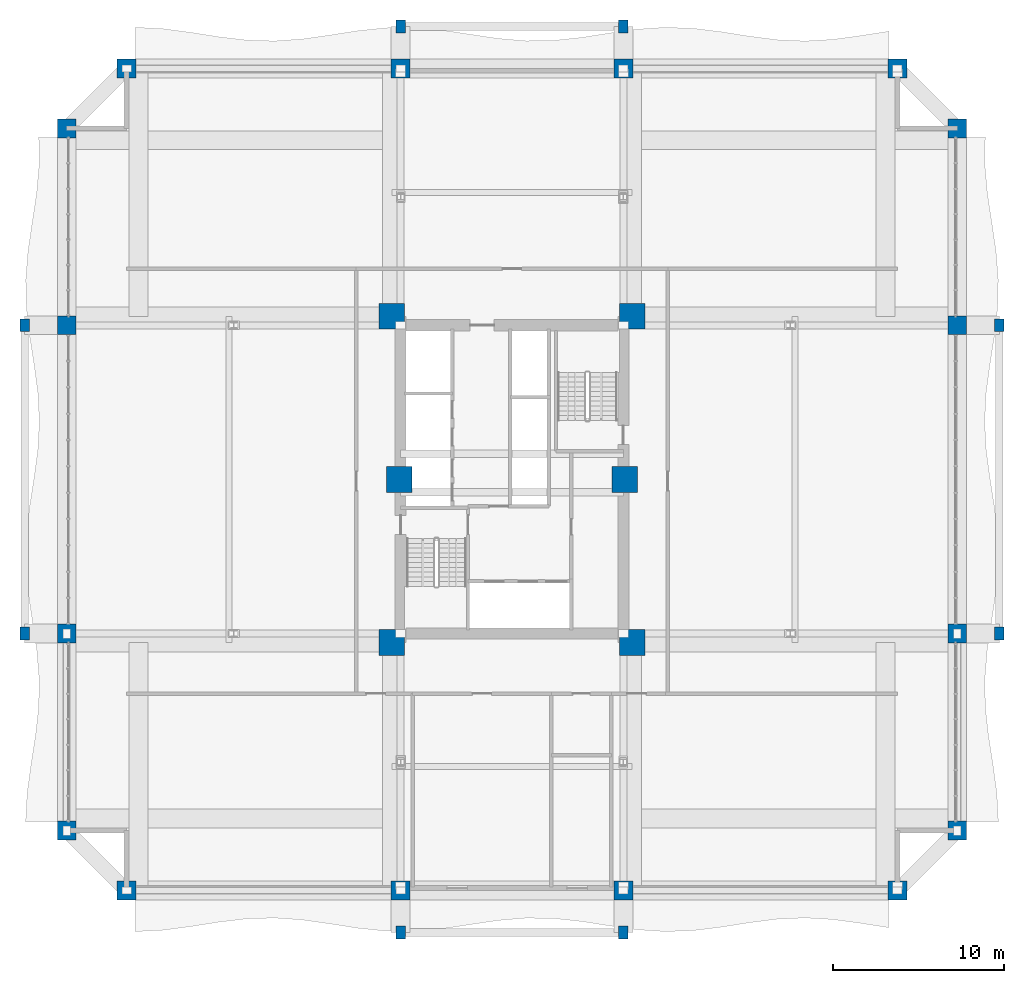
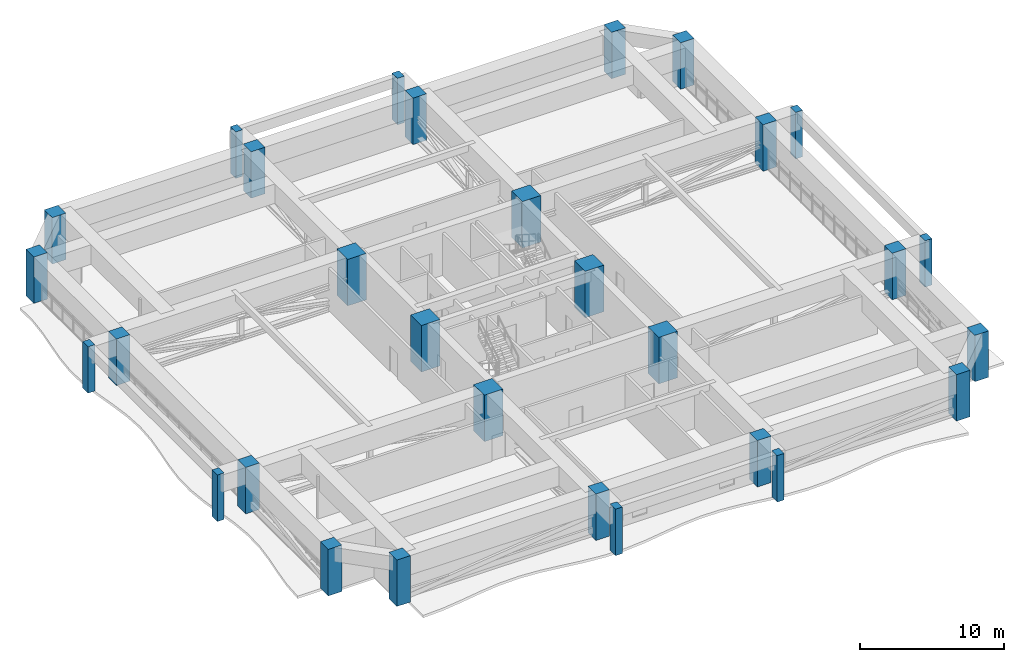
# One storey, part 1 of 35: 30 columns.
"""IFC4 building model written with IfcOpenShell, lengths in metres."""

from ifc_helpers import new_model, si_unit, direction, frame, origin, origin_2d, place, context, subcontext, project, spatial, rectangle, extrude, source, transform, mapped, material, material_profile, profile_set, type_object, element, save


model = new_model("IFC4")

# Units and contexts
model_context = context("Model", 3, precision=1e-05, world=origin(), true_north=direction((0.0, 1.0)))
body_context = subcontext(model_context, "Body", "Model", "MODEL_VIEW")
ifc_project = project(units=[si_unit("LENGTHUNIT", "METRE"), si_unit("AREAUNIT", "SQUARE_METRE"), si_unit("VOLUMEUNIT", "CUBIC_METRE"), si_unit("PLANEANGLEUNIT", "RADIAN"), si_unit("MASSUNIT", "GRAM", prefix="KILO")], contexts=[model_context])

# Site, building, storey
site_placement = place(None, origin())
site = spatial("IfcSite", under=ifc_project, at=site_placement, CompositionType="ELEMENT")
building_placement = place(site_placement, origin())
building = spatial("IfcBuilding", under=site, at=building_placement, Name="Saelheon Loggia Tower", CompositionType="ELEMENT")
storey_placement = place(building_placement, frame((0.0, 0.0, 70.39990234375)))
storey = spatial("IfcBuildingStorey", under=building, at=storey_placement, Name="L22", CompositionType="ELEMENT", Elevation=70.39990234375)

# Columns
ifc_material_1 = material(Name="Concrete C60/75", Category="concrete")
ifc_material_profile_1 = material_profile(ifc_material_1, rectangle(XDim=1.5, YDim=1.5, at=origin_2d()), Name="RC-1500x1500")
ifc_profile_set_1 = profile_set([ifc_material_profile_1], Name="Concrete C60/75")
column_type_1 = type_object("IfcColumnType", Name="Col_Core_RC1500", PredefinedType="COLUMN", material=ifc_profile_set_1)
shared_shape_1 = source(origin(), body_context, "Body", "SweptSolid", [
    extrude(rectangle(XDim=1.5, YDim=1.5, at=origin_2d()), origin(), (0.0, 0.0, 1.0), 3.9501953125),
])
for number, where, z_axis, x_axis, name in (
    (1, (30.97998046875, 17.47998046875, 0.0), (0.0, 0.0, 1.0), (1.0, 0.0, 0.0), "L22 Core Column CR-SW"),
    (2, (45.02001953125, 17.47998046875, 0.0), (0.0, 0.0, 1.0), (1.0, 0.0, 0.0), "L22 Core Column CR-SE"),
    (3, (30.97998046875, 36.52001953125, 0.0), (0.0, 0.0, 1.0), (1.0, 0.0, 0.0), "L22 Core Column CR-NW"),
    (4, (45.02001953125, 36.52001953125, 0.0), (0.0, 0.0, 1.0), (1.0, 0.0, 0.0), "L22 Core Column CR-NE"),
    (5, (31.419921875, 27.0, 0.0), (0.0, 0.0, 1.0), (1.0, 0.0, 0.0), "L22 Core Column CR-MW"),
    (6, (44.580078125, 27.0, 0.0), (0.0, 0.0, 1.0), (1.0, 0.0, 0.0), "L22 Core Column CR-ME"),
):
    element("IfcColumn", number, at=place(storey_placement, frame(where, z_axis=z_axis, x_axis=x_axis)), inside=storey, type_object=column_type_1, Name=name, PredefinedType="COLUMN", context=body_context, shape_type="MappedRepresentation", body=[
        mapped(shared_shape_1, transform((0.0, 0.0, 0.0), scale=1.0)),
    ])
ifc_material_2 = material(Name="Concrete C50/60", Category="concrete")
ifc_material_profile_2 = material_profile(ifc_material_2, rectangle(XDim=1.10009765625, YDim=1.10009765625, at=origin_2d()), Name="RC-1100x1100")
ifc_profile_set_2 = profile_set([ifc_material_profile_2], Name="Concrete C50/60")
column_type_2 = type_object("IfcColumnType", Name="Col_PerimExt_RC1100", PredefinedType="COLUMN", material=ifc_profile_set_2)
shared_shape_2 = source(origin(), body_context, "Body", "SweptSolid", [
    extrude(rectangle(XDim=1.10009765625, YDim=1.10009765625, at=origin_2d()), origin(), (0.0, 0.0, 1.0), 3.9501953125),
])
for number, where, z_axis, x_axis, name in (
    (7, (15.5, 3.0, 0.0), (0.0, 0.0, 1.0), (1.0, 0.0, 0.0), "L22 Perimeter Column TP-S1"),
    (8, (31.5, 3.0, 0.0), (0.0, 0.0, 1.0), (1.0, 0.0, 0.0), "L22 Perimeter Column TP-SA"),
    (9, (44.5, 3.0, 0.0), (0.0, 0.0, 1.0), (1.0, 0.0, 0.0), "L22 Perimeter Column TP-SB"),
    (10, (60.5, 3.0, 0.0), (0.0, 0.0, 1.0), (1.0, 0.0, 0.0), "L22 Perimeter Column TP-S2"),
    (11, (64.0, 6.5, 0.0), (0.0, 0.0, 1.0), (1.0, 0.0, 0.0), "L22 Perimeter Column TP-E1"),
    (12, (64.0, 18.0, 0.0), (0.0, 0.0, 1.0), (1.0, 0.0, 0.0), "L22 Perimeter Column TP-EA"),
    (13, (64.0, 36.0, 0.0), (0.0, 0.0, 1.0), (1.0, 0.0, 0.0), "L22 Perimeter Column TP-EB"),
    (14, (64.0, 47.5, 0.0), (0.0, 0.0, 1.0), (1.0, 0.0, 0.0), "L22 Perimeter Column TP-E2"),
    (15, (60.5, 51.0, 0.0), (0.0, 0.0, 1.0), (1.0, 0.0, 0.0), "L22 Perimeter Column TP-N2"),
    (16, (44.5, 51.0, 0.0), (0.0, 0.0, 1.0), (1.0, 0.0, 0.0), "L22 Perimeter Column TP-NB"),
    (17, (31.5, 51.0, 0.0), (0.0, 0.0, 1.0), (1.0, 0.0, 0.0), "L22 Perimeter Column TP-NA"),
    (18, (15.5, 51.0, 0.0), (0.0, 0.0, 1.0), (1.0, 0.0, 0.0), "L22 Perimeter Column TP-N1"),
    (19, (12.0, 47.5, 0.0), (0.0, 0.0, 1.0), (1.0, 0.0, 0.0), "L22 Perimeter Column TP-W2"),
    (20, (12.0, 36.0, 0.0), (0.0, 0.0, 1.0), (1.0, 0.0, 0.0), "L22 Perimeter Column TP-WB"),
    (21, (12.0, 18.0, 0.0), (0.0, 0.0, 1.0), (1.0, 0.0, 0.0), "L22 Perimeter Column TP-WA"),
    (22, (12.0, 6.5, 0.0), (0.0, 0.0, 1.0), (1.0, 0.0, 0.0), "L22 Perimeter Column TP-W1"),
):
    element("IfcColumn", number, at=place(storey_placement, frame(where, z_axis=z_axis, x_axis=x_axis)), inside=storey, type_object=column_type_2, Name=name, PredefinedType="COLUMN", context=body_context, shape_type="MappedRepresentation", body=[
        mapped(shared_shape_2, transform((0.0, 0.0, 0.0), scale=1.0)),
    ])
ifc_material_3 = material(Name="Precast Concrete C45/55", Category="concrete")
ifc_material_profile_3 = material_profile(ifc_material_3, rectangle(XDim=0.550048828125, YDim=0.75, at=origin_2d()), Name="RC-550x750")
ifc_profile_set_3 = profile_set([ifc_material_profile_3], Name="Precast Concrete C45/55")
column_type_3 = type_object("IfcColumnType", Name="Col_Loggia_Pilaster_750", PredefinedType="PILASTER", material=ifc_profile_set_3)
shared_shape_3 = source(origin(), body_context, "Body", "SweptSolid", [
    extrude(rectangle(XDim=0.550048828125, YDim=0.75, at=origin_2d()), origin(), (0.0, 0.0, 1.0), 3.9501953125),
])
for number, where, z_axis, x_axis, name in (
    (23, (31.5, 0.550048828125, 0.0), (0.0, 0.0, 1.0), (1.0, 0.0, 0.0), "L22 Loggia Frame Pilaster LP-S1"),
    (24, (44.5, 0.550048828125, 0.0), (0.0, 0.0, 1.0), (1.0, 0.0, 0.0), "L22 Loggia Frame Pilaster LP-S2"),
    (25, (31.5, 53.449951171875, 0.0), (0.0, 0.0, 1.0), (1.0, 0.0, 0.0), "L22 Loggia Frame Pilaster LP-N1"),
    (26, (44.5, 53.449951171875, 0.0), (0.0, 0.0, 1.0), (1.0, 0.0, 0.0), "L22 Loggia Frame Pilaster LP-N2"),
    (27, (66.449951171875, 18.0, 0.0), (0.0, 0.0, 1.0), (1.0, 0.0, 0.0), "L22 Loggia Frame Pilaster LP-E1"),
    (28, (66.449951171875, 36.0, 0.0), (0.0, 0.0, 1.0), (1.0, 0.0, 0.0), "L22 Loggia Frame Pilaster LP-E2"),
    (29, (9.550048828125, 18.0, 0.0), (0.0, 0.0, 1.0), (1.0, 0.0, 0.0), "L22 Loggia Frame Pilaster LP-W1"),
    (30, (9.550048828125, 36.0, 0.0), (0.0, 0.0, 1.0), (1.0, 0.0, 0.0), "L22 Loggia Frame Pilaster LP-W2"),
):
    element("IfcColumn", number, at=place(storey_placement, frame(where, z_axis=z_axis, x_axis=x_axis)), inside=storey, type_object=column_type_3, Name=name, PredefinedType="PILASTER", context=body_context, shape_type="MappedRepresentation", body=[
        mapped(shared_shape_3, transform((0.0, 0.0, 0.0), scale=1.0)),
    ])

save(model, "model.ifc")
